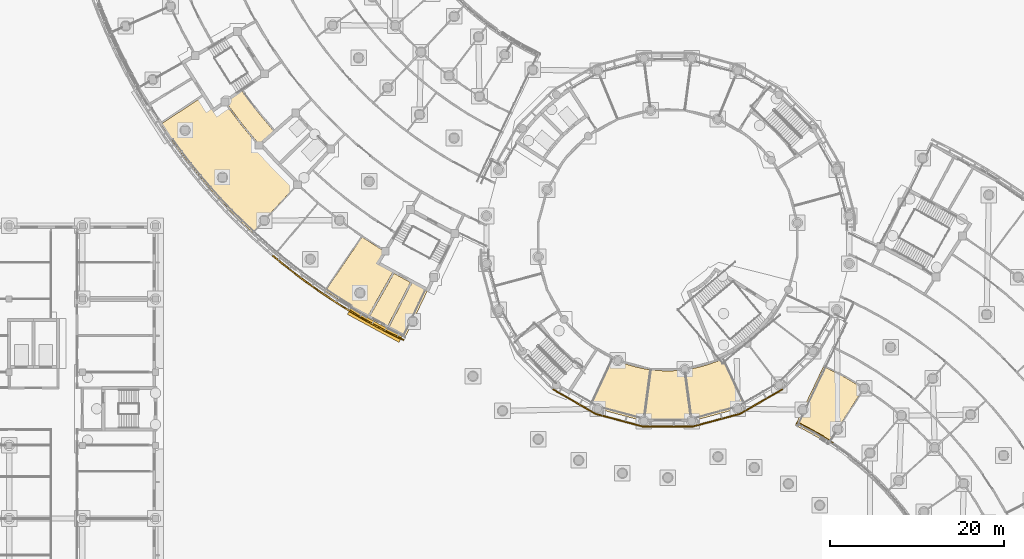
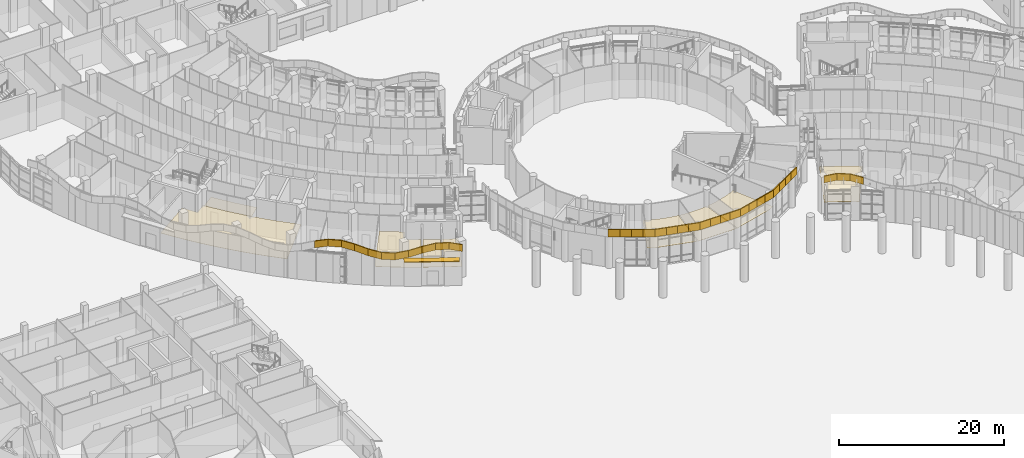
# One storey, part 119 of 146: 43 coverings, 1 shading device.
"""IFC4 building model written with IfcOpenShell, lengths in metres."""

import ifcopenshell
import ifcopenshell.guid

model = None  # the IFC model being written
_history = None  # IfcOwnerHistory: only IFC2X3 demands one
_inside = {}  # id of a spatial element -> (the spatial element, [elements in it])
_under = {}  # id of a project, library or spatial element -> (it, [spatial elements below it])
_declared = {}  # id of a project -> (the project, [libraries it declares])
_typed = {}  # id of a type object -> (the type object, [elements of that type])
_made_of = {}  # id of a material, layer set ... -> (it, [elements and type objects made of it])


def new_model(schema):
    """Start an empty IFC model of exactly this schema.

    Asked for "IFC4X3", IfcOpenShell would pick the latest addendum, in which some entities
    have other attributes; the version numbers below select the first issue.
    IFC2X3 requires an IfcOwnerHistory on every rooted entity: one is made here for all.
    """
    global model, _history
    if schema == "IFC4X3":
        model = ifcopenshell.file(schema_version=(4, 3, 0, 0))
    else:
        model = ifcopenshell.file(schema=schema)
    _inside.clear()
    _under.clear()
    _declared.clear()
    _typed.clear()
    _made_of.clear()
    _history = None
    if model.schema == "IFC2X3":
        org = make("IfcOrganization", Name="unknown")
        user = make(
            "IfcPersonAndOrganization",
            ThePerson=make("IfcPerson", FamilyName="unknown"),
            TheOrganization=org,
        )
        app = make(
            "IfcApplication",
            ApplicationDeveloper=org,
            Version="unknown",
            ApplicationFullName="unknown",
            ApplicationIdentifier="unknown",
        )
        _history = make(
            "IfcOwnerHistory",
            OwningUser=user,
            OwningApplication=app,
            ChangeAction="ADDED",
            CreationDate=0,
        )
    return model


def make(cls, **values):
    """One entity of the class cls with the attributes given. An attribute that is None is left unset."""
    return model.create_entity(
        cls, **{name: value for name, value in values.items() if value is not None}
    )


def rooted(cls, **values):
    """An entity with a GlobalId (a new one), such as an element, a storey or a relation."""
    return make(cls, GlobalId=ifcopenshell.guid.new(), OwnerHistory=_history, **values)


def si_unit(unit_type, name, prefix=None):
    """IfcSIUnit, for example si_unit("LENGTHUNIT", "METRE", prefix="MILLI")."""
    return make("IfcSIUnit", UnitType=unit_type, Prefix=prefix, Name=name)


def assignment(units):
    """IfcUnitAssignment: the units of a project."""
    return None if units is None else make("IfcUnitAssignment", Units=units)


def point(xyz):
    """IfcCartesianPoint."""
    return None if xyz is None else make("IfcCartesianPoint", Coordinates=xyz)


def direction(xyz):
    """IfcDirection."""
    return None if xyz is None else make("IfcDirection", DirectionRatios=xyz)


def frame(location, z_axis=None, x_axis=None):
    """IfcAxis2Placement3D, a coordinate frame: its origin and axes. An axis left out is left unset."""
    return make(
        "IfcAxis2Placement3D",
        Location=point(location),
        Axis=direction(z_axis),
        RefDirection=direction(x_axis),
    )


def origin():
    """The frame at (0, 0, 0) with its axes left unset."""
    return frame((0.0, 0.0, 0.0))


def place(relative_to, where):
    """IfcLocalPlacement: puts the frame where relative to a parent placement (None: the world)."""
    return make(
        "IfcLocalPlacement", PlacementRelTo=relative_to, RelativePlacement=where
    )


def context(
    kind, dimensions, precision=None, world=None, true_north=None, identifier=None
):
    """IfcGeometricRepresentationContext, for example the 3D "Model" context."""
    return make(
        "IfcGeometricRepresentationContext",
        ContextIdentifier=identifier,
        ContextType=kind,
        CoordinateSpaceDimension=dimensions,
        Precision=precision,
        WorldCoordinateSystem=world,
        TrueNorth=true_north,
    )


def subcontext(parent, identifier, kind, view, scale=None):
    """IfcGeometricRepresentationSubContext, for example "Body" below "Model"."""
    return make(
        "IfcGeometricRepresentationSubContext",
        ContextIdentifier=identifier,
        ContextType=kind,
        ParentContext=parent,
        TargetScale=scale,
        TargetView=view,
    )


def project(units=None, contexts=None):
    """IfcProject with its units and contexts."""
    return rooted(
        "IfcProject",
        Name="project",
        RepresentationContexts=contexts,
        UnitsInContext=assignment(units),
    )


def spatial(cls, under=None, at=None, **own):
    """A site, building, storey or space (cls), placed at a placement, below another one or the project."""
    s = rooted(cls, ObjectPlacement=at, **own)
    if under is not None:
        _under.setdefault(under.id(), (under, []))[1].append(s)
    return s


def polyline(points):
    """IfcPolyline through the points."""
    return make("IfcPolyline", Points=[point(p) for p in points])


def outline(outer, holes=None, kind="AREA"):
    """IfcArbitraryClosedProfileDef: a profile drawn as a closed curve; with holes, ...WithVoids."""
    if holes is None:
        return make("IfcArbitraryClosedProfileDef", ProfileType=kind, OuterCurve=outer)
    return make(
        "IfcArbitraryProfileDefWithVoids",
        ProfileType=kind,
        OuterCurve=outer,
        InnerCurves=holes,
    )


def extrude(swept, where, along, depth):
    """IfcExtrudedAreaSolid: the profile swept, set in the frame where, extruded along a direction by depth."""
    return make(
        "IfcExtrudedAreaSolid",
        SweptArea=swept,
        Position=where,
        ExtrudedDirection=direction(along),
        Depth=depth,
    )


def shape(context_of_items, identifier, shape_type, items):
    """IfcShapeRepresentation: the items that make up one representation, for example the "Body"."""
    return make(
        "IfcShapeRepresentation",
        ContextOfItems=context_of_items,
        RepresentationIdentifier=identifier,
        RepresentationType=shape_type,
        Items=items,
    )


def material(Name=None, Category=None):
    """IfcMaterial."""
    return make("IfcMaterial", Name=Name, Category=Category)


def layer(
    of_material, thickness, ventilated=None, Name=None, Category=None, Priority=None
):
    """IfcMaterialLayer: one layer of a wall or slab, of a material (None: an air gap)."""
    return make(
        "IfcMaterialLayer",
        Material=of_material,
        LayerThickness=thickness,
        IsVentilated=ventilated,
        Name=Name,
        Category=Category,
        Priority=Priority,
    )


def layer_set(layers, Name=None):
    """IfcMaterialLayerSet."""
    return make("IfcMaterialLayerSet", MaterialLayers=layers, LayerSetName=Name)


def made_of(thing, what):
    """Note that an element or type object is made of a material, layer set ...; save() writes the relation."""
    if what is not None:
        _made_of.setdefault(what.id(), (what, []))[1].append(thing)
    return thing


def type_object(cls, material=None, **own):
    """A type object (cls), such as IfcWallType, which elements share."""
    return made_of(rooted(cls, **own), material)


def element(
    cls,
    number,
    at=None,
    inside=None,
    cuts=None,
    type_object=None,
    material=None,
    context=None,
    identifier="Body",
    shape_type=None,
    held_by="IfcProductDefinitionShape",
    body=None,
    shapes=None,
    **own,
):
    """One element of the class cls, such as IfcWall. Its Tag is "e" and its number.

    at: its placement. inside: the storey or other place that contains it. cuts: it is an
    opening in that element (IfcRelVoidsElement). A single representation is given by context,
    identifier, shape_type and body (its items); several are given by shapes. held_by: the class
    of the entity that holds the representations. save() writes the other relations.
    """
    e = rooted(cls, Tag="e%d" % number, ObjectPlacement=at, **own)
    if body is not None:
        shapes = [shape(context, identifier, shape_type, body)]
    if shapes is not None:
        e.Representation = make(held_by, Representations=shapes)
    if inside is not None:
        _inside.setdefault(inside.id(), (inside, []))[1].append(e)
    if cuts is not None:
        rooted(
            "IfcRelVoidsElement", RelatingBuildingElement=cuts, RelatedOpeningElement=e
        )
    if type_object is not None:
        _typed.setdefault(type_object.id(), (type_object, []))[1].append(e)
    return made_of(e, material)


def aggregate(whole, parts):
    """IfcRelAggregates: a whole, such as a stair, and the parts it consists of."""
    return rooted("IfcRelAggregates", RelatingObject=whole, RelatedObjects=parts)


def save(model, path):
    """Write the relations noted so far, then the file.

    IfcRelAggregates (storeys below a building ...), IfcRelContainedInSpatialStructure (elements
    in a storey), IfcRelDefinesByType, IfcRelAssociatesMaterial and IfcRelDeclares: one each for
    every whole, place, type object, material and project.
    """
    for whole, parts in _under.values():
        aggregate(whole, parts)
    for where, things in _inside.values():
        rooted(
            "IfcRelContainedInSpatialStructure",
            RelatedElements=things,
            RelatingStructure=where,
        )
    for kind, things in _typed.values():
        rooted("IfcRelDefinesByType", RelatedObjects=things, RelatingType=kind)
    for what, things in _made_of.values():
        rooted("IfcRelAssociatesMaterial", RelatedObjects=things, RelatingMaterial=what)
    for by, libraries in _declared.values():
        rooted("IfcRelDeclares", RelatingContext=by, RelatedDefinitions=libraries)
    model.write(path)


model = new_model("IFC4")

# Units and contexts
model_context = context("Model", 3, precision=1e-05, world=origin(), true_north=direction((0.0, 1.0)))
body_context = subcontext(model_context, "Body", "Model", "MODEL_VIEW")
ifc_project = project(units=[si_unit("LENGTHUNIT", "METRE"), si_unit("AREAUNIT", "SQUARE_METRE"), si_unit("VOLUMEUNIT", "CUBIC_METRE"), si_unit("PLANEANGLEUNIT", "RADIAN"), si_unit("MASSUNIT", "GRAM", prefix="KILO")], contexts=[model_context])

# Site, building, storey
site_placement = place(None, origin())
site = spatial("IfcSite", under=ifc_project, at=site_placement, CompositionType="ELEMENT")
building_placement = place(site_placement, origin())
building = spatial("IfcBuilding", under=site, at=building_placement, Name="Bougainvillea Quay General Hospital", CompositionType="ELEMENT")
storey_placement = place(building_placement, origin())
storey = spatial("IfcBuildingStorey", under=building, at=storey_placement, Name="L00", CompositionType="ELEMENT", Elevation=0.0)

# Coverings
ifc_material_1 = material(Name="Powder-coated aluminium fascia, white", Category="aluminium")
ifc_layer_1 = layer(ifc_material_1, 0.14990234375)
ifc_layer_set_1 = layer_set([ifc_layer_1], Name="Powder-coated aluminium fascia, white")
covering_type_1 = type_object("IfcCoveringType", Name="Aluminium fascia band white 150x1100", PredefinedType="CLADDING", material=ifc_layer_set_1)
covering_1_placement = place(storey_placement, frame((96.078369140625, 56.89990234375, 4.85009765625), z_axis=(0.0, 0.0, 1.0), x_axis=(0.866058810152, -0.49994213401, 0.0)))
element("IfcCovering", 1, at=covering_1_placement, inside=storey, type_object=covering_type_1, Name="Fascia band white e1 15", PredefinedType="CLADDING", context=body_context, shape_type="SweptSolid", body=[
    extrude(outline(polyline([(0.0, 0.0), (1.4430380994058942, 0.0), (1.4428484269856572, -0.15007945905171638), (-0.01987272956648338, -0.15016578643810477), (0.0, 0.0)])), origin(), (0.0, 0.0, 1.0), 1.10009765625),
])
covering_2_placement = place(storey_placement, frame((97.328125, 56.178466796875, 4.85009765625), z_axis=(0.0, 0.0, 1.0), x_axis=(0.866031343357, -0.499989712218, 0.0)))
element("IfcCovering", 2, at=covering_2_placement, inside=storey, type_object=covering_type_1, Name="Fascia band white e1 16", PredefinedType="CLADDING", context=body_context, shape_type="SweptSolid", body=[
    extrude(outline(polyline([(0.0, 0.0), (1.3706336703115394, 0.0), (1.3704522428569326, -0.15007946924533522), (-0.00018142745460673904, -0.15007946924533525), (0.0, 0.0)])), origin(), (0.0, 0.0, 1.0), 1.10009765625),
])
covering_3_placement = place(storey_placement, frame((98.51513671875, 55.4931640625, 4.85009765625), z_axis=(0.0, 0.0, 1.0), x_axis=(0.865986804272, -0.500066850358, 0.0)))
element("IfcCovering", 3, at=covering_3_placement, inside=storey, type_object=covering_type_1, Name="Fascia band white e1 17", PredefinedType="CLADDING", context=body_context, shape_type="SweptSolid", body=[
    extrude(outline(polyline([(0.0, 0.0), (1.3704222423145833, 1.1102230246251565e-16), (1.3704656054686581, -0.14995739817689147), (-0.0001680594055618323, -0.15007948481027983), (0.0, 0.0)])), origin(), (0.0, 0.0, 1.0), 1.10009765625),
])
covering_4_placement = place(storey_placement, frame((99.701904296875, 54.807861328125, 4.85009765625), z_axis=(0.0, 0.0, 1.0), x_axis=(0.866058810152, -0.49994213401, 0.0)))
element("IfcCovering", 4, at=covering_4_placement, inside=storey, type_object=covering_type_1, Name="Fascia band white e1 18", PredefinedType="CLADDING", context=body_context, shape_type="SweptSolid", body=[
    extrude(outline(polyline([(0.0, 0.0), (1.4430380994058942, 0.0), (1.4627429242711008, -0.1498710754802669), (2.176771896013341e-05, -0.14995740286665532), (0.0, 0.0)])), origin(), (0.0, 0.0, 1.0), 1.10009765625),
])
covering_5_placement = place(storey_placement, frame((100.95166015625, 54.08642578125, 4.85009765625), z_axis=(0.0, 0.0, 1.0), x_axis=(0.96591406393, -0.258862938836, 0.0)))
element("IfcCovering", 5, at=covering_5_placement, inside=storey, type_object=covering_type_1, Name="Fascia band white e1 19", PredefinedType="CLADDING", context=body_context, shape_type="SweptSolid", body=[
    extrude(outline(polyline([(0.0, 0.0), (1.4429842986801122, 5.551115123125783e-17), (1.442966082509382, -0.149889220504208), (-0.01973926565854102, -0.14986654323044177), (0.0, 0.0)])), origin(), (0.0, 0.0, 1.0), 1.10009765625),
])
for number, where, z_axis, x_axis, name in (
    (6, (102.345458984375, 53.712890625, 4.85009765625), (0.0, 0.0, 1.0), (0.965917832393, -0.258848876884, 0.0), "Fascia band white e1 20"),
    (7, (103.669189453125, 53.358154296875, 4.85009765625), (0.0, 0.0, 1.0), (0.965917832393, -0.258848876884, 0.0), "Fascia band white e1 21"),
):
    element("IfcCovering", number, at=place(storey_placement, frame(where, z_axis=z_axis, x_axis=x_axis)), inside=storey, type_object=covering_type_1, Name=name, PredefinedType="CLADDING", context=body_context, shape_type="SweptSolid", body=[
        extrude(outline(polyline([(0.0, 0.0), (1.3704379651734342, 5.551115123125783e-17), (1.3704175668926584, -0.14988922022313056), (-2.039828077596978e-05, -0.14988922022313056), (0.0, 0.0)])), origin(), (0.0, 0.0, 1.0), 1.10009765625),
    ])
covering_6_placement = place(storey_placement, frame((104.992919921875, 53.00341796875, 4.85009765625), z_axis=(0.0, 0.0, 1.0), x_axis=(0.965902723626, -0.258905250026, 0.0)))
element("IfcCovering", 8, at=covering_6_placement, inside=storey, type_object=covering_type_1, Name="Fascia band white e1 22", PredefinedType="CLADDING", context=body_context, shape_type="SweptSolid", body=[
    extrude(outline(polyline([(0.0, 0.0), (1.4427484812010494, 1.1102230246251565e-16), (1.4626936974182987, -0.14984782527068197), (-1.1650339643856644e-05, -0.14988922115835274), (0.0, 0.0)])), origin(), (0.0, 0.0, 1.0), 1.10009765625),
])
covering_7_placement = place(storey_placement, frame((106.386474609375, 52.6298828125, 4.85009765625), z_axis=(0.0, 0.0, 1.0), x_axis=(1.0, 0.0, 0.0)))
element("IfcCovering", 9, at=covering_7_placement, inside=storey, type_object=covering_type_1, Name="Fascia band white e1 23", PredefinedType="CLADDING", context=body_context, shape_type="SweptSolid", body=[
    extrude(outline(polyline([(0.0, 0.0), (1.443115234375, 0.0), (1.443115234375, -0.14990234375), (-0.01953125, -0.14990234375), (0.0, 0.0)])), origin(), (0.0, 0.0, 1.0), 1.10009765625),
])
covering_8_placement = place(storey_placement, frame((107.82958984375, 52.6298828125, 4.85009765625), z_axis=(0.0, 0.0, 1.0), x_axis=(1.0, 0.0, 0.0)))
element("IfcCovering", 10, at=covering_8_placement, inside=storey, type_object=covering_type_1, Name="Fascia band white e1 24", PredefinedType="CLADDING", context=body_context, shape_type="SweptSolid", body=[
    extrude(outline(polyline([(0.0, 0.0), (1.370361328125, 0.0), (1.370361328125, -0.14990234375), (0.0, -0.14990234375), (0.0, 0.0)])), origin(), (0.0, 0.0, 1.0), 1.10009765625),
])
covering_9_placement = place(storey_placement, frame((109.199951171875, 52.6298828125, 4.85009765625), z_axis=(0.0, 0.0, 1.0), x_axis=(1.0, 0.0, 0.0)))
element("IfcCovering", 11, at=covering_9_placement, inside=storey, type_object=covering_type_1, Name="Fascia band white e1 25", PredefinedType="CLADDING", context=body_context, shape_type="SweptSolid", body=[
    extrude(outline(polyline([(0.0, 0.0), (1.37060546875, 0.0), (1.37060546875, -0.14990234375), (0.0, -0.14990234375), (0.0, 0.0)])), origin(), (0.0, 0.0, 1.0), 1.10009765625),
])
covering_10_placement = place(storey_placement, frame((110.570556640625, 52.6298828125, 4.85009765625), z_axis=(0.0, 0.0, 1.0), x_axis=(1.0, 0.0, 0.0)))
element("IfcCovering", 12, at=covering_10_placement, inside=storey, type_object=covering_type_1, Name="Fascia band white e1 26", PredefinedType="CLADDING", context=body_context, shape_type="SweptSolid", body=[
    extrude(outline(polyline([(0.0, 0.0), (1.44287109375, 0.0), (1.462646484375, -0.14990234375), (0.0, -0.14990234375), (0.0, 0.0)])), origin(), (0.0, 0.0, 1.0), 1.10009765625),
])
covering_11_placement = place(storey_placement, frame((112.013427734375, 52.6298828125, 4.85009765625), z_axis=(0.0, 0.0, 1.0), x_axis=(0.96591406393, 0.258862938836, 0.0)))
element("IfcCovering", 13, at=covering_11_placement, inside=storey, type_object=covering_type_1, Name="Fascia band white e1 27", PredefinedType="CLADDING", context=body_context, shape_type="SweptSolid", body=[
    extrude(outline(polyline([(0.0, 0.0), (1.4429842986801122, -5.551115123125783e-17), (1.4430025148508425, -0.14988922050420814), (-0.01970283331708037, -0.14991189777797442), (0.0, 0.0)])), origin(), (0.0, 0.0, 1.0), 1.10009765625),
])
for number, where, z_axis, x_axis, name in (
    (14, (113.4072265625, 53.00341796875, 4.85009765625), (0.0, 0.0, 1.0), (0.965917832393, 0.258848876884, 0.0), "Fascia band white e1 28"),
    (15, (114.73095703125, 53.358154296875, 4.85009765625), (0.0, 0.0, 1.0), (0.965917832393, 0.258848876884, 0.0), "Fascia band white e1 29"),
):
    element("IfcCovering", number, at=place(storey_placement, frame(where, z_axis=z_axis, x_axis=x_axis)), inside=storey, type_object=covering_type_1, Name=name, PredefinedType="CLADDING", context=body_context, shape_type="SweptSolid", body=[
        extrude(outline(polyline([(0.0, 0.0), (1.3704379651734342, -5.551115123125783e-17), (1.3704583634542102, -0.1498892202231306), (2.039828077596978e-05, -0.14988922022313056), (0.0, 0.0)])), origin(), (0.0, 0.0, 1.0), 1.10009765625),
    ])
covering_12_placement = place(storey_placement, frame((116.0546875, 53.712890625, 4.85009765625), z_axis=(0.0, 0.0, 1.0), x_axis=(0.965902723626, 0.258905250026, 0.0)))
element("IfcCovering", 16, at=covering_12_placement, inside=storey, type_object=covering_type_1, Name="Fascia band white e1 30", PredefinedType="CLADDING", context=body_context, shape_type="SweptSolid", body=[
    extrude(outline(polyline([(0.0, 0.0), (1.4427484812010494, -1.1102230246251565e-16), (1.462481182002951, -0.14986740775646643), (1.1650339643856644e-05, -0.14988922115835274), (0.0, 0.0)])), origin(), (0.0, 0.0, 1.0), 1.10009765625),
])
covering_13_placement = place(storey_placement, frame((117.4482421875, 54.08642578125, 4.85009765625), z_axis=(0.0, 0.0, 1.0), x_axis=(0.866058810152, 0.49994213401, 0.0)))
element("IfcCovering", 17, at=covering_13_placement, inside=storey, type_object=covering_type_1, Name="Fascia band white e1 31", PredefinedType="CLADDING", context=body_context, shape_type="SweptSolid", body=[
    extrude(outline(polyline([(0.0, 0.0), (1.4430380994058942, 0.0), (1.443016331686934, -0.14995740286665526), (-0.019704824865206458, -0.14987107548026693), (0.0, 0.0)])), origin(), (0.0, 0.0, 1.0), 1.10009765625),
])
for number, where, z_axis, x_axis, name in (
    (18, (118.697998046875, 54.807861328125, 4.85009765625), (0.0, 0.0, 1.0), (0.866031343357, 0.499989712218, 0.0), "Fascia band white e1 32"),
    (19, (119.885009765625, 55.4931640625, 4.85009765625), (0.0, 0.0, 1.0), (0.866031343357, 0.499989712218, 0.0), "Fascia band white e1 33"),
):
    element("IfcCovering", number, at=place(storey_placement, frame(where, z_axis=z_axis, x_axis=x_axis)), inside=storey, type_object=covering_type_1, Name=name, PredefinedType="CLADDING", context=body_context, shape_type="SweptSolid", body=[
        extrude(outline(polyline([(0.0, 0.0), (1.3706336703115394, 0.0), (1.3706036643327093, -0.14995740144450087), (-3.0005978829975022e-05, -0.14995740144450084), (0.0, 0.0)])), origin(), (0.0, 0.0, 1.0), 1.10009765625),
    ])
covering_14_placement = place(storey_placement, frame((121.072021484375, 56.178466796875, 4.85009765625), z_axis=(0.0, 0.0, 1.0), x_axis=(0.866058810152, 0.49994213401, 0.0)))
element("IfcCovering", 20, at=covering_14_placement, inside=storey, type_object=covering_type_1, Name="Fascia band white e1 34", PredefinedType="CLADDING", context=body_context, shape_type="SweptSolid", body=[
    extrude(outline(polyline([(0.0, 0.0), (1.4430380994058942, 0.0), (1.4626993888331803, -0.15004373025304363), (-2.176771896013341e-05, -0.14995740286665532), (0.0, 0.0)])), origin(), (0.0, 0.0, 1.0), 1.10009765625),
])
ifc_material_2 = material(Name="Powder-coated aluminium fascia, red", Category="aluminium")
ifc_layer_2 = layer(ifc_material_2, 0.14990234375)
ifc_layer_set_2 = layer_set([ifc_layer_2], Name="Powder-coated aluminium fascia, red")
covering_type_2 = type_object("IfcCoveringType", Name="Aluminium wave fascia ribbon red 150x1000", PredefinedType="CLADDING", material=ifc_layer_set_2)
covering_15_placement = place(storey_placement, frame((63.904541015625, 72.237548828125, 5.20458984375), z_axis=(-0.197332453318, 0.162398994775, 0.966791843865), x_axis=(0.746517315314, -0.614327573325, 0.255565120056)))
element("IfcCovering", 21, at=covering_15_placement, inside=storey, type_object=covering_type_2, Name="Fascia ribbon red a01 25", PredefinedType="CLADDING", context=body_context, shape_type="SweptSolid", body=[
    extrude(outline(polyline([(0.0, 0.0), (1.686207912176504, -2.1304572689340162e-17), (1.6880059764995616, -0.1500255056137437), (-0.0018061590921280475, -0.15003534047530928), (0.0, 0.0)])), origin(), (0.255565120056, -6.894404e-06, 0.966791843865), 1.0),
])
covering_16_placement = place(storey_placement, frame((65.163330078125, 71.20166015625, 5.6357421875), z_axis=(-0.00447283874, 0.003509743028, 0.999983837578), x_axis=(0.786638147786, -0.617388127409, 0.005685471148)))
element("IfcCovering", 22, at=covering_16_placement, inside=storey, type_object=covering_type_2, Name="Fascia ribbon red a01 26", PredefinedType="CLADDING", context=body_context, shape_type="SweptSolid", body=[
    extrude(outline(polyline([(0.0, 0.0), (1.6300081692518906, 5.04410237672304e-17), (1.6317786743602483, -0.1497530428130291), (-0.00173993502658, -0.15002539885051355), (0.0, 0.0)])), origin(), (0.005685471148, 5.79779e-07, 0.999983837578), 1.0),
])
covering_17_placement = place(storey_placement, frame((66.445556640625, 70.1953125, 5.644775390625), z_axis=(0.198714592236, -0.148581104062, 0.968729150149), x_axis=(0.775766071529, -0.580192355538, -0.2481206014)))
element("IfcCovering", 23, at=covering_17_placement, inside=storey, type_object=covering_type_2, Name="Fascia ribbon red a01 27", PredefinedType="CLADDING", context=body_context, shape_type="SweptSolid", body=[
    extrude(outline(polyline([(0.0, 0.0), (1.6827384381489752, -8.74138001566438e-18), (1.6845559019321639, -0.1499048390096015), (-0.0017830343594541225, -0.14975368436954029), (0.0, 0.0)])), origin(), (-0.2481206014, -2.8507947e-05, 0.968729150149), 1.0),
])
covering_18_placement = place(storey_placement, frame((67.7509765625, 69.218994140625, 5.226806640625), z_axis=(0.283086462367, -0.20229278625, 0.937517831007), x_axis=(0.763638594031, -0.543871351864, -0.347936848189)))
element("IfcCovering", 24, at=covering_18_placement, inside=storey, type_object=covering_type_2, Name="Fascia ribbon red a01 28", PredefinedType="CLADDING", context=body_context, shape_type="SweptSolid", body=[
    extrude(outline(polyline([(0.0, 0.0), (1.7385908032039101, 1.1758172560605296e-16), (1.7406477698359337, -0.14999514879439366), (-0.0018000132351872061, -0.1499050417527254), (0.0, 0.0)])), origin(), (-0.347936848189, 0.000515961893, 0.937517831007), 1.0),
])
covering_19_placement = place(storey_placement, frame((69.07861328125, 68.2734375, 4.621337890625), z_axis=(0.218238473998, -0.147707572283, 0.964652497824), x_axis=(0.798459045533, -0.541311031437, -0.263525178781)))
element("IfcCovering", 25, at=covering_19_placement, inside=storey, type_object=covering_type_2, Name="Fascia ribbon red a01 29", PredefinedType="CLADDING", context=body_context, shape_type="SweptSolid", body=[
    extrude(outline(polyline([(0.0, 0.0), (1.6899525160035238, -1.3097162243624894e-16), (1.691793822900299, -0.15010918363918613), (-0.0016175892134496067, -0.14999954734848173), (0.0, 0.0)])), origin(), (-0.263525178781, -0.000196446276, 0.964652497824), 1.0),
])
covering_20_placement = place(storey_placement, frame((70.427978515625, 67.358642578125, 4.17578125), z_axis=(0.015714851815, -0.010131743765, 0.999825180319), x_axis=(0.840330135121, -0.541752392895, -0.018697828726)))
element("IfcCovering", 26, at=covering_20_placement, inside=storey, type_object=covering_type_2, Name="Fascia ribbon red a01 30", PredefinedType="CLADDING", context=body_context, shape_type="SweptSolid", body=[
    extrude(outline(polyline([(0.0, 0.0), (1.6304516856414162, 3.6471121126402037e-17), (1.6321419420185634, -0.1499590045258424), (-0.0016974946901679722, -0.15011008510907276), (0.0, 0.0)])), origin(), (-0.018697828726, 4.51032e-07, 0.999825180319), 1.0),
])
covering_21_placement = place(storey_placement, frame((71.798095703125, 66.475341796875, 4.1455078125), z_axis=(-0.204261272492, 0.12512951998, 0.970886160057), x_axis=(0.828029460087, -0.506939003212, 0.239541353948)))
element("IfcCovering", 27, at=covering_21_placement, inside=storey, type_object=covering_type_2, Name="Fascia ribbon red a01 31", PredefinedType="CLADDING", context=body_context, shape_type="SweptSolid", body=[
    extrude(outline(polyline([(0.0, 0.0), (1.6788363576372225, -3.610054421197828e-17), (1.680621903652031, -0.1500937694844735), (-0.001864363888152213, -0.14995773004908594), (0.0, 0.0)])), origin(), (0.239541353948, -6.2922999e-05, 0.970886160057), 1.0),
])
covering_22_placement = place(storey_placement, frame((73.188232421875, 65.624267578125, 4.548095703125), z_axis=(-0.300430030217, 0.174379424877, 0.937727899299), x_axis=(0.81081866817, -0.47106975945, 0.34737065086)))
element("IfcCovering", 28, at=covering_22_placement, inside=storey, type_object=covering_type_2, Name="Fascia ribbon red a01 32", PredefinedType="CLADDING", context=body_context, shape_type="SweptSolid", body=[
    extrude(outline(polyline([(0.0, 0.0), (1.7383347496991708, -2.912438085839186e-17), (1.7402512108368144, -0.1499768611552799), (-0.0018012179653347689, -0.15009349757099166), (0.0, 0.0)])), origin(), (0.34737065086, 0.000133409031, 0.937727899299), 1.0),
])
covering_23_placement = place(storey_placement, frame((74.59765625, 64.805419921875, 5.152587890625), z_axis=(-0.237582841148, 0.130714723011, 0.962532105844), x_axis=(0.843294621319, -0.464028271375, 0.271167743325)))
element("IfcCovering", 29, at=covering_23_placement, inside=storey, type_object=covering_type_2, Name="Fascia ribbon red a01 33", PredefinedType="CLADDING", context=body_context, shape_type="SweptSolid", body=[
    extrude(outline(polyline([(0.0, 0.0), (1.6936150062167545, 3.150284937428194e-17), (1.6953303846635401, -0.14985056846959277), (-0.0016997524265962535, -0.1499795654260225), (0.0, 0.0)])), origin(), (0.271167743325, 1.4132244e-05, 0.962532105844), 1.0),
])
covering_24_placement = place(storey_placement, frame((76.02587890625, 64.01953125, 5.612060546875), z_axis=(-0.027843876745, 0.01452279338, 0.999506781868), x_axis=(0.886654178476, -0.461365555412, 0.031403695166)))
element("IfcCovering", 30, at=covering_24_placement, inside=storey, type_object=covering_type_2, Name="Fascia ribbon red a01 34", PredefinedType="CLADDING", context=body_context, shape_type="SweptSolid", body=[
    extrude(outline(polyline([(0.0, 0.0), (1.6309023722849492, 9.09315279865909e-17), (1.6324498485421677, -0.15001200318245003), (-0.001838609931648659, -0.1498483044507464), (0.0, 0.0)])), origin(), (0.031403695166, -3.0489775e-05, 0.999506781868), 1.0),
])
covering_25_placement = place(storey_placement, frame((77.471923828125, 63.26708984375, 5.6630859375), z_axis=(0.206638552281, -0.101454302967, 0.973143120574), x_axis=(0.873422452801, -0.429116249522, -0.230200919502)))
element("IfcCovering", 31, at=covering_25_placement, inside=storey, type_object=covering_type_2, Name="Fascia ribbon red a01 35", PredefinedType="CLADDING", context=body_context, shape_type="SweptSolid", body=[
    extrude(outline(polyline([(0.0, 0.0), (1.671534779780203, 4.534675586420622e-17), (1.6714726627825793, -0.1499114740359337), (-0.001981479243028043, -0.15000770047162154), (0.0, 0.0)])), origin(), (-0.230200919502, -5.9494417e-05, 0.973143120574), 1.0),
])
covering_26_placement = place(storey_placement, frame((123.972412109375, 52.955810546875, 5.351806640625), z_axis=(-0.181610220062, 0.091775925662, 0.979078601256), x_axis=(0.873653518786, -0.441955250537, 0.203482396376)))
element("IfcCovering", 32, at=covering_26_placement, inside=storey, type_object=covering_type_2, Name="Fascia ribbon red a21 1", PredefinedType="CLADDING", context=body_context, shape_type="SweptSolid", body=[
    extrude(outline(polyline([(0.0, 0.0), (1.6185614789051417, 9.323799870196436e-17), (1.6220844822855176, 0.1500352437682269), (-4.625307386553479e-05, 0.14990969242997998), (0.0, 0.0)])), origin(), (0.203482396376, 8.3229913e-05, 0.979078601256), 1.0),
])
covering_27_placement = place(storey_placement, frame((125.386474609375, 52.240478515625, 5.681396484375), z_axis=(0.052798123838, -0.029831680821, 0.998159520787), x_axis=(0.868906408908, -0.49124747506, -0.060642978202)))
element("IfcCovering", 33, at=covering_27_placement, inside=storey, type_object=covering_type_2, Name="Fascia ribbon red a21 2", PredefinedType="CLADDING", context=body_context, shape_type="SweptSolid", body=[
    extrude(outline(polyline([(0.0, 0.0), (1.5948097030759767, 1.2949439697623744e-16), (1.5982300731977381, 0.14973001514588646), (-0.003499491180998613, 0.15003420102476844), (0.0, 0.0)])), origin(), (-0.060642978202, -1.6006369e-05, 0.998159520787), 1.0),
])
covering_28_placement = place(storey_placement, frame((126.772216796875, 51.45703125, 5.584228515625), z_axis=(0.241167916633, -0.150503757054, 0.958742225574), x_axis=(0.811687613807, -0.510245695606, -0.284275478557)))
element("IfcCovering", 34, at=covering_28_placement, inside=storey, type_object=covering_type_2, Name="Fascia ribbon red a21 3", PredefinedType="CLADDING", context=body_context, shape_type="SweptSolid", body=[
    extrude(outline(polyline([(0.0, 0.0), (1.6602960673864413, 1.2912847874302358e-16), (1.6639160470318326, 0.15008098611509213), (-0.0037028009675624655, 0.14972627448472292), (0.0, 0.0)])), origin(), (-0.284275478557, -0.000892855948, 0.958742225574), 1.0),
])

# Shading device
ifc_material_3 = material(Name="Powder-coated aluminium canopy soffit and fascia, white", Category="aluminium")
ifc_layer_3 = layer(ifc_material_3, 0.10009765625)
ifc_layer_set_3 = layer_set([ifc_layer_3], Name="Powder-coated aluminium canopy soffit and fascia, white")
shading_device_type = type_object("IfcShadingDeviceType", Name="Sunshade 100", PredefinedType="USERDEFINED", material=ifc_layer_set_3)
shading_device_placement = place(storey_placement, frame((0.0, 0.0, 4.050048828125)))
element("IfcShadingDevice", 35, at=shading_device_placement, inside=storey, type_object=shading_device_type, Name="Sunshade 0", ObjectType="Sunshade", PredefinedType="USERDEFINED", context=body_context, shape_type="SweptSolid", body=[
    extrude(outline(polyline([(78.34033203125, 62.2255859375), (78.74755859375, 62.974609375), (77.52001953125, 63.5791015625), (75.993896484375, 64.376953125), (74.489013671875, 65.2119140625), (72.832275390625, 66.191162109375), (72.42529296875, 65.442626953125), (78.34033203125, 62.2255859375)])), origin(), (0.0, 0.0, 1.0), 0.099853515625),
])

# Coverings
ifc_material_4 = material(Name="Mineral fibre ceiling tile")
ifc_layer_4 = layer(ifc_material_4, 0.030029296875)
ifc_layer_set_4 = layer_set([ifc_layer_4], Name="Mineral fibre ceiling tile")
covering_type_3 = type_object("IfcCoveringType", Name="Suspended ceiling mineral fibre tile", PredefinedType="CEILING", material=ifc_layer_set_4)
covering_29_placement = place(storey_placement, frame((0.0, 0.0, 2.699951171875)))
element("IfcCovering", 36, at=covering_29_placement, inside=storey, type_object=covering_type_3, Name="Ceiling Stair Exit Passage ST-W1", PredefinedType="CEILING", context=body_context, shape_type="SweptSolid", body=[
    extrude(outline(polyline([(77.77490234375, 70.13427734375), (74.9228515625, 65.08349609375), (76.981689453125, 63.969970703125), (76.983642578125, 63.970458984375), (79.649169921875, 69.119873046875), (77.77490234375, 70.13427734375)])), origin(), (0.0, 0.0, 1.0), 0.030029296875),
])
covering_30_placement = place(storey_placement, frame((0.0, 0.0, 2.699951171875)))
element("IfcCovering", 37, at=covering_30_placement, inside=storey, type_object=covering_type_3, Name="Ceiling Reception Desk 00H0111", PredefinedType="CEILING", context=body_context, shape_type="SweptSolid", body=[
    extrude(outline(polyline([(106.410400390625, 53.193115234375), (107.181640625, 59.052978515625), (107.1669921875, 59.052978515625), (107.1669921875, 59.070556640625), (107.000244140625, 59.115234375), (106.558349609375, 59.184326171875), (106.557861328125, 59.181884765625), (106.510009765625, 59.19189453125), (106.4619140625, 59.19921875), (106.462158203125, 59.20166015625), (105.80224609375, 59.33935546875), (105.801513671875, 59.3369140625), (105.754638671875, 59.349365234375), (105.706787109375, 59.359375), (105.707275390625, 59.36181640625), (105.05419921875, 59.533447265625), (105.053466796875, 59.53125), (105.007080078125, 59.5458984375), (104.9599609375, 59.558349609375), (104.96044921875, 59.560791015625), (104.317138671875, 59.764892578125), (104.316162109375, 59.7626953125), (104.2705078125, 59.77978515625), (104.22412109375, 59.79443359375), (104.22509765625, 59.796875), (103.6494140625, 60.013671875), (103.49609375, 60.0546875), (103.4873046875, 60.03955078125), (103.430908203125, 60.072021484375), (103.3681640625, 60.0888671875), (103.372802734375, 60.10595703125), (103.2216796875, 60.193603515625), (102.8857421875, 60.33984375), (100.413330078125, 55.037841796875), (100.367919921875, 55.05908203125), (101.1640625, 54.59912109375), (106.410400390625, 53.193115234375)])), origin(), (0.0, 0.0, 1.0), 0.030029296875),
])
covering_31_placement = place(storey_placement, frame((0.0, 0.0, 2.699951171875)))
element("IfcCovering", 38, at=covering_31_placement, inside=storey, type_object=covering_type_3, Name="Ceiling Information Desk 00H0112", PredefinedType="CEILING", context=body_context, shape_type="SweptSolid", body=[
    extrude(outline(polyline([(111.890625, 53.179931640625), (111.119140625, 59.0400390625), (111.10498046875, 59.0361328125), (111.100341796875, 59.052978515625), (110.92138671875, 59.052978515625), (110.40625, 58.999267578125), (110.406494140625, 58.99658203125), (110.35791015625, 58.994140625), (110.3095703125, 58.989013671875), (110.30908203125, 58.99169921875), (109.635009765625, 58.95751953125), (109.635009765625, 58.955078125), (109.586181640625, 58.955078125), (109.53759765625, 58.95263671875), (109.537353515625, 58.955078125), (108.862548828125, 58.955078125), (108.8623046875, 58.95263671875), (108.813720703125, 58.955078125), (108.764892578125, 58.955078125), (108.764892578125, 58.95751953125), (108.0908203125, 58.99169921875), (108.090576171875, 58.989013671875), (108.042236328125, 58.994140625), (107.99365234375, 58.99658203125), (107.99365234375, 58.999267578125), (107.478759765625, 59.052978515625), (107.299560546875, 59.052978515625), (107.294921875, 59.0361328125), (107.28076171875, 59.0400390625), (106.509521484375, 53.179931640625), (111.890625, 53.179931640625)])), origin(), (0.0, 0.0, 1.0), 0.030029296875),
])
covering_32_placement = place(storey_placement, frame((0.0, 0.0, 2.699951171875)))
element("IfcCovering", 39, at=covering_32_placement, inside=storey, type_object=covering_type_3, Name="Ceiling Triage Assessment Room 00H0113", PredefinedType="CEILING", context=body_context, shape_type="SweptSolid", body=[
    extrude(outline(polyline([(117.236083984375, 54.59912109375), (118.031982421875, 55.05908203125), (117.986572265625, 55.037841796875), (115.51416015625, 60.33984375), (115.182861328125, 60.195556640625), (115.02734375, 60.105712890625), (115.031982421875, 60.0888671875), (114.968994140625, 60.072021484375), (114.91259765625, 60.03955078125), (114.90380859375, 60.0546875), (114.750732421875, 60.013671875), (114.175048828125, 59.796875), (114.17578125, 59.79443359375), (114.12939453125, 59.77978515625), (114.083740234375, 59.7626953125), (114.0830078125, 59.764892578125), (113.439453125, 59.560791015625), (113.440185546875, 59.558349609375), (113.392822265625, 59.5458984375), (113.346435546875, 59.53125), (113.345703125, 59.533447265625), (112.692626953125, 59.36181640625), (112.693115234375, 59.359375), (112.6455078125, 59.349365234375), (112.598388671875, 59.3369140625), (112.59765625, 59.33935546875), (111.937744140625, 59.20166015625), (111.938232421875, 59.19921875), (111.889892578125, 59.19189453125), (111.84228515625, 59.181884765625), (111.841796875, 59.184326171875), (111.39990234375, 59.115234375), (111.23291015625, 59.070556640625), (111.23291015625, 59.052978515625), (111.21826171875, 59.052978515625), (111.98974609375, 53.193115234375), (117.236083984375, 54.59912109375)])), origin(), (0.0, 0.0, 1.0), 0.030029296875),
])
covering_33_placement = place(storey_placement, frame((0.0, 0.0, 2.699951171875)))
element("IfcCovering", 40, at=covering_33_placement, inside=storey, type_object=covering_type_3, Name="Ceiling Records Room 00W111", PredefinedType="CEILING", context=body_context, shape_type="SweptSolid", body=[
    extrude(outline(polyline([(72.937744140625, 66.184814453125), (74.723876953125, 65.143310546875), (74.7431640625, 65.18212890625), (74.74755859375, 65.179931640625), (77.625732421875, 70.27734375), (77.354248046875, 70.4287109375), (77.353515625, 70.427490234375), (77.26806640625, 70.4765625), (77.2685546875, 70.477783203125), (75.87060546875, 71.304443359375), (75.92138671875, 71.390380859375), (76.68896484375, 72.652099609375), (74.12939453125, 74.29931640625), (74.127197265625, 74.29638671875), (74.1083984375, 74.309814453125), (69.90771484375, 68.1337890625), (71.455078125, 67.109130859375), (72.937744140625, 66.184814453125)])), origin(), (0.0, 0.0, 1.0), 0.030029296875),
])
covering_34_placement = place(storey_placement, frame((0.0, 0.0, 2.699951171875)))
element("IfcCovering", 41, at=covering_34_placement, inside=storey, type_object=covering_type_3, Name="Ceiling Outpatient Reception and Registration", PredefinedType="CEILING", context=body_context, shape_type="SweptSolid", body=[
    extrude(outline(polyline([(81.6611328125, 68.263427734375), (81.625, 68.190185546875), (80.212646484375, 68.885498046875), (80.212158203125, 68.884521484375), (80.1240234375, 68.92919921875), (80.12451171875, 68.930419921875), (79.8505859375, 69.07421875), (77.158935546875, 63.874267578125), (77.16064453125, 63.873291015625), (77.140380859375, 63.836181640625), (79.08544921875, 62.8642578125), (81.6611328125, 68.263427734375)])), origin(), (0.0, 0.0, 1.0), 0.030029296875),
])
covering_35_placement = place(storey_placement, frame((0.0, 0.0, 2.39990234375)))
element("IfcCovering", 42, at=covering_35_placement, inside=storey, type_object=covering_type_3, Name="Ceiling Clinic Corridor 00W2", PredefinedType="CEILING", context=body_context, shape_type="SweptSolid", body=[
    extrude(outline(polyline([(63.422119140625, 83.81689453125), (62.432373046875, 84.91650390625), (62.366455078125, 84.99169921875), (64.002685546875, 86.427001953125), (62.131103515625, 88.67236328125), (62.1279296875, 88.669921875), (62.084228515625, 88.728515625), (62.037353515625, 88.78466796875), (62.040283203125, 88.787109375), (60.285888671875, 91.12548828125), (58.4521484375, 89.821533203125), (60.31982421875, 87.33251953125), (62.343505859375, 84.904541015625), (64.486572265625, 82.58251953125), (66.69287109375, 80.460205078125), (66.724609375, 80.494384765625), (65.689697265625, 81.481201171875), (65.688720703125, 81.480224609375), (65.618408203125, 81.54931640625), (65.619140625, 81.55029296875), (64.574951171875, 82.59912109375), (64.573974609375, 82.598388671875), (64.50537109375, 82.669189453125), (64.506103515625, 82.669921875), (63.4892578125, 83.744140625), (63.48828125, 83.743408203125), (63.42138671875, 83.81591796875), (63.422119140625, 83.81689453125)])), origin(), (0.0, 0.0, 1.0), 0.030029296875),
])
covering_36_placement = place(storey_placement, frame((0.0, 0.0, 2.699951171875)))
element("IfcCovering", 43, at=covering_36_placement, inside=storey, type_object=covering_type_3, Name="Ceiling Cardiology Consulting Room 00W211", PredefinedType="CEILING", context=body_context, shape_type="SweptSolid", body=[
    extrude(outline(polyline([(64.326904296875, 82.52783203125), (64.330078125, 82.531005859375), (62.2802734375, 84.751708984375), (62.27734375, 84.749267578125), (62.230712890625, 84.805419921875), (62.180908203125, 84.859130859375), (62.183837890625, 84.86181640625), (60.2490234375, 87.183349609375), (60.24609375, 87.180908203125), (60.2021484375, 87.239501953125), (60.1552734375, 87.295654296875), (60.158203125, 87.298095703125), (58.329833984375, 89.734375), (57.127685546875, 88.87744140625), (57.04541015625, 88.8203125), (56.11962890625, 90.155517578125), (56.11865234375, 90.15478515625), (56.0634765625, 90.236572265625), (56.064453125, 90.2373046875), (55.894287109375, 90.496826171875), (51.015869140625, 87.25830078125), (51.01708984375, 87.256591796875), (50.98193359375, 87.23388671875), (52.02978515625, 85.69970703125), (53.05517578125, 84.283935546875), (54.115478515625, 82.893798828125), (55.210693359375, 81.53076171875), (56.3388671875, 80.19482421875), (57.5, 78.8876953125), (58.694091796875, 77.609619140625), (59.920166015625, 76.362548828125), (61.51904296875, 74.8271484375), (66.625732421875, 80.314453125), (66.589599609375, 80.34716796875), (66.5908203125, 80.350341796875), (64.431884765625, 82.427001953125), (64.4287109375, 82.424072265625), (64.37939453125, 82.4775390625), (64.326904296875, 82.52783203125)])), origin(), (0.0, 0.0, 1.0), 0.030029296875),
])
covering_37_placement = place(storey_placement, frame((0.0, 0.0, 2.699951171875)))
element("IfcCovering", 44, at=covering_37_placement, inside=storey, type_object=covering_type_3, Name="Ceiling Children's Outpatient Consulting Room 00E111", PredefinedType="CEILING", context=body_context, shape_type="SweptSolid", body=[
    extrude(outline(polyline([(126.702880859375, 51.14892578125), (126.7294921875, 51.19140625), (127.608642578125, 50.6435546875), (131.658447265625, 56.92578125), (129.4306640625, 58.26318359375), (127.066650390625, 59.459228515625), (123.8369140625, 52.68798828125), (124.7939453125, 52.212890625), (125.70703125, 51.72412109375), (126.702880859375, 51.14892578125)])), origin(), (0.0, 0.0, 1.0), 0.030029296875),
])

save(model, "model.ifc")
